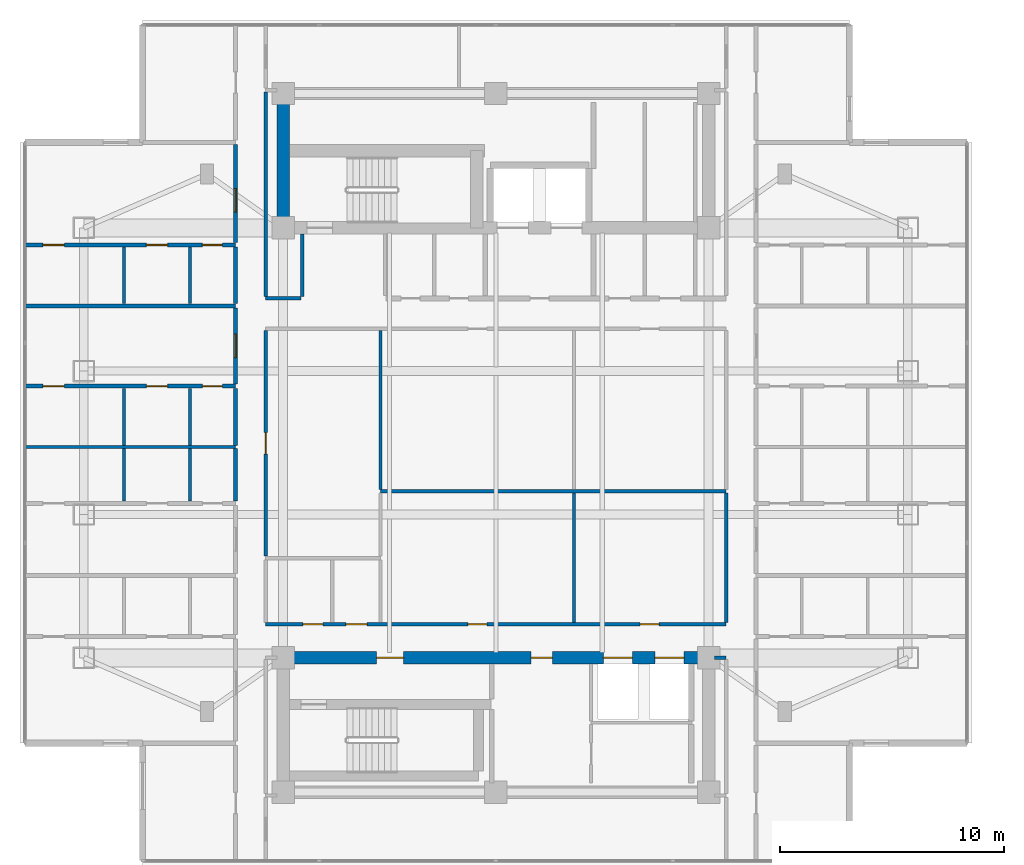
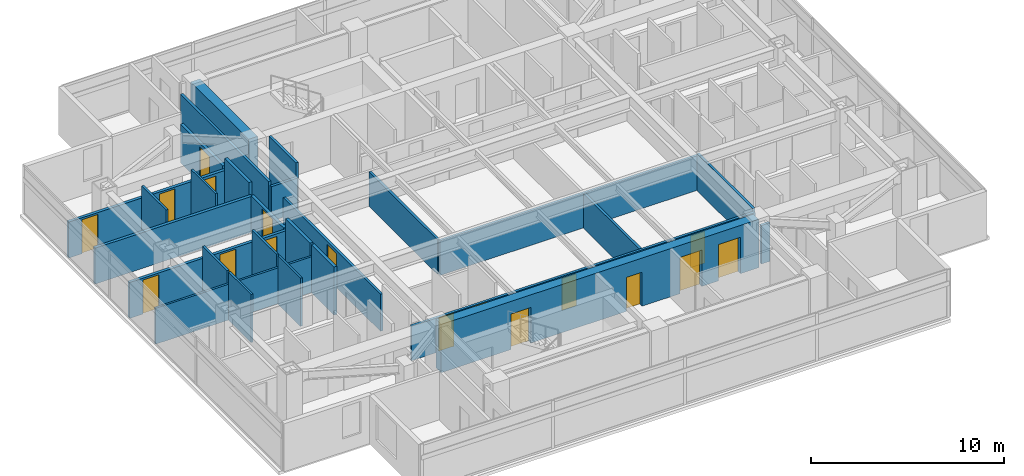
# One storey, part 14 of 26: 27 walls, 17 doors, 17 openings.
"""IFC4 building model written with IfcOpenShell, lengths in metres."""

from ifc_helpers import new_model, si_unit, direction, frame, frame_2d, origin, place, context, subcontext, project, spatial, rectangle, extrude, material, layer, layer_set, type_object, element, fill, save


model = new_model("IFC4")

# Units and contexts
model_context = context("Model", 3, precision=1e-05, world=origin(), true_north=direction((0.0, 1.0)))
body_context = subcontext(model_context, "Body", "Model", "MODEL_VIEW")
ifc_project = project(units=[si_unit("LENGTHUNIT", "METRE"), si_unit("AREAUNIT", "SQUARE_METRE"), si_unit("VOLUMEUNIT", "CUBIC_METRE"), si_unit("PLANEANGLEUNIT", "RADIAN"), si_unit("MASSUNIT", "GRAM", prefix="KILO")], contexts=[model_context])

# Site, building, storey
site_placement = place(None, origin())
site = spatial("IfcSite", under=ifc_project, at=site_placement, CompositionType="ELEMENT")
building_placement = place(site_placement, origin())
building = spatial("IfcBuilding", under=site, at=building_placement, Name="Mirazonda Arch Towers", CompositionType="ELEMENT")
storey_placement = place(building_placement, frame((0.0, 0.0, 170.64990234375)))
storey = spatial("IfcBuildingStorey", under=building, at=storey_placement, Name="L48", CompositionType="ELEMENT", Elevation=170.64990234375)

# Wall
ifc_material_1 = material(Name="Concrete C50/60", Category="concrete")
ifc_layer_1 = layer(ifc_material_1, 0.550048828125, Name="WALL-CORE-550")
ifc_layer_set_1 = layer_set([ifc_layer_1], Name="Concrete C50/60")
wall_type_1 = type_object("IfcWallType", Name="WALL-CORE-550", PredefinedType="SHEAR", material=ifc_layer_set_1)
wall_1_placement = place(storey_placement, frame((11.0, 37.60009765625, 0.0), z_axis=(0.0, 0.0, 1.0), x_axis=(0.0, 1.0, 0.0)))
element("IfcWall", 1, at=wall_1_placement, inside=storey, type_object=wall_type_1, Name="L48 T1N-W Core Shear Wall", PredefinedType="SHEAR", context=body_context, shape_type="SweptSolid", body=[
    extrude(rectangle(XDim=6.0, YDim=0.550048828125, at=frame_2d((3.0, 0.0))), origin(), (0.0, 0.0, 1.0), 3.050048828125),
])

# Wall, openings, doors
wall_2_placement = place(storey_placement, frame((11.0, 18.39990234375, 0.0), z_axis=(0.0, 0.0, 1.0), x_axis=(1.0, 0.0, 0.0)))
wall_2 = element("IfcWall", 2, at=wall_2_placement, inside=storey, type_object=wall_type_1, Name="L48 T1S-N Core Shear Wall", PredefinedType="SHEAR", context=body_context, shape_type="SweptSolid", body=[
    extrude(rectangle(XDim=19.0, YDim=0.550048828125, at=frame_2d((9.5, 0.0))), origin(), (0.0, 0.0, 1.0), 3.050048828125),
])
opening_1_placement = place(wall_2_placement, frame((4.175048828125, 0.0, 0.0)))
opening_1 = element("IfcOpeningElement", 3, at=opening_1_placement, cuts=wall_2, Name="Opening DR-117", PredefinedType="OPENING", context=body_context, shape_type="SweptSolid", body=[
    extrude(rectangle(XDim=1.199951171875, YDim=2.25, at=frame_2d((0.60009765625, 1.125))), frame((0.0, 0.284912109375, 0.0), z_axis=(0.0, -1.0, 0.0), x_axis=(1.0, 0.0, 0.0)), (0.0, 0.0, 1.0), 0.570068359375),
])
opening_2_placement = place(wall_2_placement, frame((11.074951171875, 0.0, 0.0)))
opening_2 = element("IfcOpeningElement", 4, at=opening_2_placement, cuts=wall_2, Name="Opening DR-104", PredefinedType="OPENING", context=body_context, shape_type="SweptSolid", body=[
    extrude(rectangle(XDim=0.949951171875, YDim=2.14990234375, at=frame_2d((0.47509765625, 1.074951171875))), frame((0.0, 0.284912109375, 0.0), z_axis=(0.0, -1.0, 0.0), x_axis=(1.0, 0.0, 0.0)), (0.0, 0.0, 1.0), 0.570068359375),
])
opening_3_placement = place(wall_2_placement, frame((14.300048828125, 0.0, 0.0)))
opening_3 = element("IfcOpeningElement", 5, at=opening_3_placement, cuts=wall_2, Name="Opening LD-111", PredefinedType="OPENING", context=body_context, shape_type="SweptSolid", body=[
    extrude(rectangle(XDim=1.300048828125, YDim=2.300048828125, at=frame_2d((0.64990234375, 1.14990234375))), frame((0.0, 0.284912109375, 0.0), z_axis=(0.0, -1.0, 0.0), x_axis=(1.0, 0.0, 0.0)), (0.0, 0.0, 1.0), 0.570068359375),
])
opening_4_placement = place(wall_2_placement, frame((16.60009765625, 0.0, 0.0)))
opening_4 = element("IfcOpeningElement", 6, at=opening_4_placement, cuts=wall_2, Name="Opening LD-111", PredefinedType="OPENING", context=body_context, shape_type="SweptSolid", body=[
    extrude(rectangle(XDim=1.300048828125, YDim=2.300048828125, at=frame_2d((0.64990234375, 1.14990234375))), frame((0.0, 0.284912109375, 0.0), z_axis=(0.0, -1.0, 0.0), x_axis=(1.0, 0.0, 0.0)), (0.0, 0.0, 1.0), 0.570068359375),
])
ifc_material_2 = material(Name="Architectural Brushed Steel S355", Category="steel")
door_type_1 = type_object("IfcDoorType", Name="DOOR-FFL-FD90-1200", OperationType="NOTDEFINED", PredefinedType="DOOR", material=ifc_material_2)
door_1_placement = place(opening_1_placement, origin())
door_1 = element("IfcDoor", 7, at=door_1_placement, inside=storey, type_object=door_type_1, Name="L48 South Core Stair & Lift Lobby Door", OperationType="SINGLE_SWING_LEFT", OverallHeight=2.25, OverallWidth=1.199951171875, PredefinedType="DOOR", context=body_context, shape_type="SweptSolid", body=[
    extrude(rectangle(XDim=1.199951171875, YDim=2.25, at=frame_2d((0.60009765625, 1.125))), frame((0.0, 0.02490234375, 0.0), z_axis=(0.0, -1.0, 0.0), x_axis=(1.0, 0.0, 0.0)), (0.0, 0.0, 1.0), 0.050048828125),
])
fill(opening_1, door_1)
door_type_2 = type_object("IfcDoorType", Name="DOOR-LIFT-LAND-1300", OperationType="NOTDEFINED", PredefinedType="DOOR", material=ifc_material_2)
door_2_placement = place(opening_3_placement, origin())
door_2 = element("IfcDoor", 8, at=door_2_placement, inside=storey, type_object=door_type_2, Name="L48 Lift Landing Sliding Door PL-T1H1", OperationType="DOUBLE_DOOR_SLIDING", OverallHeight=2.300048828125, OverallWidth=1.300048828125, PredefinedType="DOOR", context=body_context, shape_type="SweptSolid", body=[
    extrude(rectangle(XDim=1.300048828125, YDim=2.300048828125, at=frame_2d((0.64990234375, 1.14990234375))), frame((0.0, 0.02490234375, 0.0), z_axis=(0.0, -1.0, 0.0), x_axis=(1.0, 0.0, 0.0)), (0.0, 0.0, 1.0), 0.050048828125),
])
fill(opening_3, door_2)
door_3_placement = place(opening_4_placement, origin())
door_3 = element("IfcDoor", 9, at=door_3_placement, inside=storey, type_object=door_type_2, Name="L48 Lift Landing Sliding Door PL-T1H2", OperationType="DOUBLE_DOOR_SLIDING", OverallHeight=2.300048828125, OverallWidth=1.300048828125, PredefinedType="DOOR", context=body_context, shape_type="SweptSolid", body=[
    extrude(rectangle(XDim=1.300048828125, YDim=2.300048828125, at=frame_2d((0.64990234375, 1.14990234375))), frame((0.0, 0.02490234375, 0.0), z_axis=(0.0, -1.0, 0.0), x_axis=(1.0, 0.0, 0.0)), (0.0, 0.0, 1.0), 0.050048828125),
])
fill(opening_4, door_3)
door_type_3 = type_object("IfcDoorType", Name="DOOR-ROOM-950", OperationType="NOTDEFINED", PredefinedType="DOOR", material=ifc_material_2)
door_4_placement = place(opening_2_placement, origin())
door_4 = element("IfcDoor", 10, at=door_4_placement, inside=storey, type_object=door_type_3, Name="L48 Residents Wine Tasting Lounge Door", OperationType="SINGLE_SWING_LEFT", OverallHeight=2.14990234375, OverallWidth=0.949951171875, PredefinedType="DOOR", context=body_context, shape_type="SweptSolid", body=[
    extrude(rectangle(XDim=0.949951171875, YDim=2.14990234375, at=frame_2d((0.47509765625, 1.074951171875))), frame((0.0, 0.02490234375, 0.0), z_axis=(0.0, -1.0, 0.0), x_axis=(1.0, 0.0, 0.0)), (0.0, 0.0, 1.0), 0.050048828125),
])
fill(opening_2, door_4)

# Wall
ifc_material_3 = material(Name="Fire-Rated Gypsum Stud Partition")
ifc_layer_2 = layer(ifc_material_3, 0.14990234375, Name="WALL-PART-CORR-150")
ifc_layer_set_2 = layer_set([ifc_layer_2], Name="Fire-Rated Gypsum Stud Partition")
wall_type_2 = type_object("IfcWallType", Name="WALL-PART-CORR-150", PredefinedType="PARTITIONING", material=ifc_layer_set_2)
wall_3_placement = place(storey_placement, frame((30.27001953125, 18.39990234375, 0.0), z_axis=(0.0, 0.0, 1.0), x_axis=(1.0, 0.0, 0.0)))
element("IfcWall", 11, at=wall_3_placement, inside=storey, type_object=wall_type_2, Name="L48 Interior Partition 012", PredefinedType="PARTITIONING", context=body_context, shape_type="SweptSolid", body=[
    extrude(rectangle(XDim=0.510009765625, YDim=0.14990234375, at=frame_2d((0.2548828125, 0.0))), origin(), (0.0, 0.0, 1.0), 2.442138671875),
])

# Wall, openings, doors
wall_4_placement = place(storey_placement, frame((10.219970703125, 19.89990234375, 0.0), z_axis=(0.0, 0.0, 1.0), x_axis=(1.0, 0.0, 0.0)))
wall_4 = element("IfcWall", 12, at=wall_4_placement, inside=storey, type_object=wall_type_2, Name="L48 Interior Partition 016", PredefinedType="PARTITIONING", context=body_context, shape_type="SweptSolid", body=[
    extrude(rectangle(XDim=20.56005859375, YDim=0.14990234375, at=frame_2d((10.280029296875, 0.0))), origin(), (0.0, 0.0, 1.0), 2.18603515625),
])
opening_5_placement = place(wall_4_placement, frame((1.659912109375, 0.0, 0.0)))
opening_5 = element("IfcOpeningElement", 13, at=opening_5_placement, cuts=wall_4, Name="Opening DR-120", PredefinedType="OPENING", context=body_context, shape_type="SweptSolid", body=[
    extrude(rectangle(XDim=0.89990234375, YDim=2.10009765625, at=frame_2d((0.449951171875, 1.050048828125))), frame((0.0, 0.0849609375, 0.0), z_axis=(0.0, -1.0, 0.0), x_axis=(1.0, 0.0, 0.0)), (0.0, 0.0, 1.0), 0.169921875),
])
opening_6_placement = place(wall_4_placement, frame((3.580078125, 0.0, 0.0)))
opening_6 = element("IfcOpeningElement", 14, at=opening_6_placement, cuts=wall_4, Name="Opening DR-104", PredefinedType="OPENING", context=body_context, shape_type="SweptSolid", body=[
    extrude(rectangle(XDim=0.949951171875, YDim=2.14990234375, at=frame_2d((0.47509765625, 1.074951171875))), frame((0.0, 0.0849609375, 0.0), z_axis=(0.0, -1.0, 0.0), x_axis=(1.0, 0.0, 0.0)), (0.0, 0.0, 1.0), 0.169921875),
])
opening_7_placement = place(wall_4_placement, frame((9.025390625, 0.0, 0.0)))
opening_7 = element("IfcOpeningElement", 15, at=opening_7_placement, cuts=wall_4, Name="Opening DR-128", PredefinedType="OPENING", context=body_context, shape_type="SweptSolid", body=[
    extrude(rectangle(XDim=0.85009765625, YDim=2.010009765625, at=frame_2d((0.425048828125, 1.0048828125))), frame((0.0, 0.0849609375, 0.0), z_axis=(0.0, -1.0, 0.0), x_axis=(1.0, 0.0, 0.0)), (0.0, 0.0, 1.0), 0.169921875),
])
opening_8_placement = place(wall_4_placement, frame((16.720458984375, 0.0, 0.0)))
opening_8 = element("IfcOpeningElement", 16, at=opening_8_placement, cuts=wall_4, Name="Opening DR-128", PredefinedType="OPENING", context=body_context, shape_type="SweptSolid", body=[
    extrude(rectangle(XDim=0.85009765625, YDim=2.010009765625, at=frame_2d((0.425048828125, 1.0048828125))), frame((0.0, 0.0849609375, 0.0), z_axis=(0.0, -1.0, 0.0), x_axis=(1.0, 0.0, 0.0)), (0.0, 0.0, 1.0), 0.169921875),
])
door_type_4 = type_object("IfcDoorType", Name="DOOR-RISER-FD60-850", OperationType="NOTDEFINED", PredefinedType="DOOR", material=ifc_material_2)
door_5_placement = place(opening_7_placement, origin())
door_5 = element("IfcDoor", 17, at=door_5_placement, inside=storey, type_object=door_type_4, Name="L48 Residents Private Library Door", OperationType="SINGLE_SWING_RIGHT", OverallHeight=2.010009765625, OverallWidth=0.85009765625, PredefinedType="DOOR", context=body_context, shape_type="SweptSolid", body=[
    extrude(rectangle(XDim=0.85009765625, YDim=2.010009765625, at=frame_2d((0.425048828125, 1.0048828125))), frame((0.0, 0.02490234375, 0.0), z_axis=(0.0, -1.0, 0.0), x_axis=(1.0, 0.0, 0.0)), (0.0, 0.0, 1.0), 0.050048828125),
])
fill(opening_7, door_5)
door_6_placement = place(opening_8_placement, origin())
door_6 = element("IfcDoor", 18, at=door_6_placement, inside=storey, type_object=door_type_4, Name="L48 Chamber Music & Screening Salon Door", OperationType="SINGLE_SWING_LEFT", OverallHeight=2.010009765625, OverallWidth=0.85009765625, PredefinedType="DOOR", context=body_context, shape_type="SweptSolid", body=[
    extrude(rectangle(XDim=0.85009765625, YDim=2.010009765625, at=frame_2d((0.425048828125, 1.0048828125))), frame((0.0, 0.02490234375, 0.0), z_axis=(0.0, -1.0, 0.0), x_axis=(1.0, 0.0, 0.0)), (0.0, 0.0, 1.0), 0.050048828125),
])
fill(opening_8, door_6)
door_7_placement = place(opening_6_placement, origin())
door_7 = element("IfcDoor", 19, at=door_7_placement, inside=storey, type_object=door_type_3, Name="L48 L48 West Courtyard Study Door", OperationType="SINGLE_SWING_RIGHT", OverallHeight=2.14990234375, OverallWidth=0.949951171875, PredefinedType="DOOR", context=body_context, shape_type="SweptSolid", body=[
    extrude(rectangle(XDim=0.949951171875, YDim=2.14990234375, at=frame_2d((0.47509765625, 1.074951171875))), frame((0.0, 0.02490234375, 0.0), z_axis=(0.0, -1.0, 0.0), x_axis=(1.0, 0.0, 0.0)), (0.0, 0.0, 1.0), 0.050048828125),
])
fill(opening_6, door_7)
door_type_5 = type_object("IfcDoorType", Name="DOOR-WC-900", OperationType="NOTDEFINED", PredefinedType="DOOR", material=ifc_material_2)
door_8_placement = place(opening_5_placement, origin())
door_8 = element("IfcDoor", 20, at=door_8_placement, inside=storey, type_object=door_type_5, Name="L48 Common Accessible WC Door", OperationType="SINGLE_SWING_LEFT", OverallHeight=2.10009765625, OverallWidth=0.89990234375, PredefinedType="DOOR", context=body_context, shape_type="SweptSolid", body=[
    extrude(rectangle(XDim=0.89990234375, YDim=2.10009765625, at=frame_2d((0.449951171875, 1.050048828125))), frame((0.0, 0.02490234375, 0.0), z_axis=(0.0, -1.0, 0.0), x_axis=(1.0, 0.0, 0.0)), (0.0, 0.0, 1.0), 0.050048828125),
])
fill(opening_5, door_8)

# Walls
wall_5_placement = place(storey_placement, frame((15.35009765625, 25.840087890625, 0.0), z_axis=(0.0, 0.0, 1.0), x_axis=(1.0, 0.0, 0.0)))
element("IfcWall", 21, at=wall_5_placement, inside=storey, type_object=wall_type_2, Name="L48 Interior Partition 032", PredefinedType="PARTITIONING", context=body_context, shape_type="SweptSolid", body=[
    extrude(rectangle(XDim=15.429931640625, YDim=0.14990234375, at=frame_2d((7.71484375, 0.0))), origin(), (0.0, 0.0, 1.0), 2.18603515625),
])
wall_6_placement = place(storey_placement, frame((10.219970703125, 34.449951171875, 0.0), z_axis=(0.0, 0.0, 1.0), x_axis=(1.0, 0.0, 0.0)))
element("IfcWall", 22, at=wall_6_placement, inside=storey, type_object=wall_type_2, Name="L48 Interior Partition 049", PredefinedType="PARTITIONING", context=body_context, shape_type="SweptSolid", body=[
    extrude(rectangle(XDim=1.580078125, YDim=0.14990234375, at=frame_2d((0.7900390625, 0.0))), origin(), (0.0, 0.0, 1.0), 2.18603515625),
])

# Wall, opening, door
wall_7_placement = place(storey_placement, frame((10.219970703125, 22.93505859375, 0.0), z_axis=(0.0, 0.0, 1.0), x_axis=(0.0, 1.0, 0.0)))
wall_7 = element("IfcWall", 23, at=wall_7_placement, inside=storey, type_object=wall_type_2, Name="L48 Interior Partition 085", PredefinedType="PARTITIONING", context=body_context, shape_type="SweptSolid", body=[
    extrude(rectangle(XDim=10.079833984375, YDim=0.14990234375, at=frame_2d((5.0400390625, 0.0))), origin(), (0.0, 0.0, 1.0), 2.34619140625),
])
opening_9_placement = place(wall_7_placement, frame((4.56494140625, 0.0, 0.0)))
opening_9 = element("IfcOpeningElement", 24, at=opening_9_placement, cuts=wall_7, Name="Opening DR-104", PredefinedType="OPENING", context=body_context, shape_type="SweptSolid", body=[
    extrude(rectangle(XDim=0.949951171875, YDim=2.14990234375, at=frame_2d((0.47509765625, 1.074951171875))), frame((0.0, 0.0849609375, 0.0), z_axis=(0.0, -1.0, 0.0), x_axis=(1.0, 0.0, 0.0)), (0.0, 0.0, 1.0), 0.169921875),
])
door_9_placement = place(opening_9_placement, origin())
door_9 = element("IfcDoor", 25, at=door_9_placement, inside=storey, type_object=door_type_3, Name="L48 L48 West Courtyard Salon Door", OperationType="SINGLE_SWING_LEFT", OverallHeight=2.14990234375, OverallWidth=0.949951171875, PredefinedType="DOOR", context=body_context, shape_type="SweptSolid", body=[
    extrude(rectangle(XDim=0.949951171875, YDim=2.14990234375, at=frame_2d((0.47509765625, 1.074951171875))), frame((0.0, 0.02490234375, 0.0), z_axis=(0.0, -1.0, 0.0), x_axis=(1.0, 0.0, 0.0)), (0.0, 0.0, 1.0), 0.050048828125),
])
fill(opening_9, door_9)

# Walls
wall_8_placement = place(storey_placement, frame((10.219970703125, 34.534912109375, 0.0), z_axis=(0.0, 0.0, 1.0), x_axis=(0.0, 1.0, 0.0)))
element("IfcWall", 26, at=wall_8_placement, inside=storey, type_object=wall_type_2, Name="L48 Interior Partition 086", PredefinedType="PARTITIONING", context=body_context, shape_type="SweptSolid", body=[
    extrude(rectangle(XDim=9.130126953125, YDim=0.14990234375, at=frame_2d((4.56494140625, 0.0))), origin(), (0.0, 0.0, 1.0), 2.442138671875),
])
wall_9_placement = place(storey_placement, frame((11.85009765625, 34.534912109375, 0.0), z_axis=(0.0, 0.0, 1.0), x_axis=(0.0, 1.0, 0.0)))
element("IfcWall", 27, at=wall_9_placement, inside=storey, type_object=wall_type_2, Name="L48 Interior Partition 088", PredefinedType="PARTITIONING", context=body_context, shape_type="SweptSolid", body=[
    extrude(rectangle(XDim=2.795166015625, YDim=0.14990234375, at=frame_2d((1.3974609375, 0.0))), origin(), (0.0, 0.0, 1.0), 3.050048828125),
])
wall_10_placement = place(storey_placement, frame((15.35009765625, 25.925048828125, 0.0), z_axis=(0.0, 0.0, 1.0), x_axis=(0.0, 1.0, 0.0)))
element("IfcWall", 28, at=wall_10_placement, inside=storey, type_object=wall_type_2, Name="L48 Interior Partition 092", PredefinedType="PARTITIONING", context=body_context, shape_type="SweptSolid", body=[
    extrude(rectangle(XDim=7.08984375, YDim=0.14990234375, at=frame_2d((3.544921875, 0.0))), origin(), (0.0, 0.0, 1.0), 2.18603515625),
])
wall_11_placement = place(storey_placement, frame((23.990966796875, 19.985107421875, 0.0), z_axis=(0.0, 0.0, 1.0), x_axis=(0.0, 1.0, 0.0)))
element("IfcWall", 29, at=wall_11_placement, inside=storey, type_object=wall_type_2, Name="L48 Interior Partition 101", PredefinedType="PARTITIONING", context=body_context, shape_type="SweptSolid", body=[
    extrude(rectangle(XDim=5.769775390625, YDim=0.14990234375, at=frame_2d((2.884765625, 0.0))), origin(), (0.0, 0.0, 1.0), 2.18603515625),
])
wall_12_placement = place(storey_placement, frame((30.780029296875, 19.985107421875, 0.0), z_axis=(0.0, 0.0, 1.0), x_axis=(0.0, 1.0, 0.0)))
element("IfcWall", 30, at=wall_12_placement, inside=storey, type_object=wall_type_2, Name="L48 Interior Partition 116", PredefinedType="PARTITIONING", context=body_context, shape_type="SweptSolid", body=[
    extrude(rectangle(XDim=5.769775390625, YDim=0.14990234375, at=frame_2d((2.884765625, 0.0))), origin(), (0.0, 0.0, 1.0), 2.34619140625),
])

# Wall, openings, doors
ifc_material_4 = material(Name="Fire-Rated Gypsum Twin-Stud Assembly")
ifc_layer_3 = layer(ifc_material_4, 0.179931640625, Name="WALL-PART-DEMISE-180")
ifc_layer_set_3 = layer_set([ifc_layer_3], Name="Fire-Rated Gypsum Twin-Stud Assembly")
wall_type_3 = type_object("IfcWallType", Name="WALL-PART-DEMISE-180", PredefinedType="PARTITIONING", material=ifc_layer_set_3)
wall_13_placement = place(storey_placement, frame((-0.530029296875, 30.532958984375, 0.0), z_axis=(0.0, 0.0, 1.0), x_axis=(1.0, 0.0, 0.0)))
wall_13 = element("IfcWall", 31, at=wall_13_placement, inside=storey, type_object=wall_type_3, Name="L48 Interior Partition 040", PredefinedType="PARTITIONING", context=body_context, shape_type="SweptSolid", body=[
    extrude(rectangle(XDim=9.409912109375, YDim=0.179931640625, at=frame_2d((4.705078125, 0.0))), origin(), (0.0, 0.0, 1.0), 2.26904296875),
])
opening_10_placement = place(wall_13_placement, frame((0.805908203125, 0.0, 0.0)))
opening_10 = element("IfcOpeningElement", 32, at=opening_10_placement, cuts=wall_13, Name="Opening DR-104", PredefinedType="OPENING", context=body_context, shape_type="SweptSolid", body=[
    extrude(rectangle(XDim=0.949951171875, YDim=2.14990234375, at=frame_2d((0.47509765625, 1.074951171875))), frame((0.0, 0.099853515625, 0.0), z_axis=(0.0, -1.0, 0.0), x_axis=(1.0, 0.0, 0.0)), (0.0, 0.0, 1.0), 0.199951171875),
])
opening_11_placement = place(wall_13_placement, frame((5.4208984375, 0.0, 0.0)))
opening_11 = element("IfcOpeningElement", 33, at=opening_11_placement, cuts=wall_13, Name="Opening DR-104", PredefinedType="OPENING", context=body_context, shape_type="SweptSolid", body=[
    extrude(rectangle(XDim=0.949951171875, YDim=2.14990234375, at=frame_2d((0.47509765625, 1.074951171875))), frame((0.0, 0.099853515625, 0.0), z_axis=(0.0, -1.0, 0.0), x_axis=(1.0, 0.0, 0.0)), (0.0, 0.0, 1.0), 0.199951171875),
])
opening_12_placement = place(wall_13_placement, frame((7.919921875, 0.0, 0.0)))
opening_12 = element("IfcOpeningElement", 34, at=opening_12_placement, cuts=wall_13, Name="Opening DR-120", PredefinedType="OPENING", context=body_context, shape_type="SweptSolid", body=[
    extrude(rectangle(XDim=0.89990234375, YDim=2.10009765625, at=frame_2d((0.449951171875, 1.050048828125))), frame((0.0, 0.099853515625, 0.0), z_axis=(0.0, -1.0, 0.0), x_axis=(1.0, 0.0, 0.0)), (0.0, 0.0, 1.0), 0.199951171875),
])
door_10_placement = place(opening_10_placement, origin())
door_10 = element("IfcDoor", 35, at=door_10_placement, inside=storey, type_object=door_type_3, Name="L48 Residence 3 Principal Bedroom Door", OperationType="SINGLE_SWING_LEFT", OverallHeight=2.14990234375, OverallWidth=0.949951171875, PredefinedType="DOOR", context=body_context, shape_type="SweptSolid", body=[
    extrude(rectangle(XDim=0.949951171875, YDim=2.14990234375, at=frame_2d((0.47509765625, 1.074951171875))), frame((0.0, 0.02490234375, 0.0), z_axis=(0.0, -1.0, 0.0), x_axis=(1.0, 0.0, 0.0)), (0.0, 0.0, 1.0), 0.050048828125),
])
fill(opening_10, door_10)
door_11_placement = place(opening_11_placement, origin())
door_11 = element("IfcDoor", 36, at=door_11_placement, inside=storey, type_object=door_type_3, Name="L48 Residence 3 Fitted Kitchen Door", OperationType="SINGLE_SWING_RIGHT", OverallHeight=2.14990234375, OverallWidth=0.949951171875, PredefinedType="DOOR", context=body_context, shape_type="SweptSolid", body=[
    extrude(rectangle(XDim=0.949951171875, YDim=2.14990234375, at=frame_2d((0.47509765625, 1.074951171875))), frame((0.0, 0.02490234375, 0.0), z_axis=(0.0, -1.0, 0.0), x_axis=(1.0, 0.0, 0.0)), (0.0, 0.0, 1.0), 0.050048828125),
])
fill(opening_11, door_11)
door_12_placement = place(opening_12_placement, origin())
door_12 = element("IfcDoor", 37, at=door_12_placement, inside=storey, type_object=door_type_5, Name="L48 Residence 3 Bathroom Door", OperationType="SINGLE_SWING_LEFT", OverallHeight=2.10009765625, OverallWidth=0.89990234375, PredefinedType="DOOR", context=body_context, shape_type="SweptSolid", body=[
    extrude(rectangle(XDim=0.89990234375, YDim=2.10009765625, at=frame_2d((0.449951171875, 1.050048828125))), frame((0.0, 0.02490234375, 0.0), z_axis=(0.0, -1.0, 0.0), x_axis=(1.0, 0.0, 0.0)), (0.0, 0.0, 1.0), 0.050048828125),
])
fill(opening_12, door_12)

# Wall
wall_14_placement = place(storey_placement, frame((-0.530029296875, 34.114990234375, 0.0), z_axis=(0.0, 0.0, 1.0), x_axis=(1.0, 0.0, 0.0)))
element("IfcWall", 38, at=wall_14_placement, inside=storey, type_object=wall_type_3, Name="L48 Interior Partition 047", PredefinedType="PARTITIONING", context=body_context, shape_type="SweptSolid", body=[
    extrude(rectangle(XDim=9.409912109375, YDim=0.179931640625, at=frame_2d((4.705078125, 0.0))), origin(), (0.0, 0.0, 1.0), 2.26904296875),
])

# Wall, openings, doors
wall_15_placement = place(storey_placement, frame((-0.530029296875, 36.8349609375, 0.0), z_axis=(0.0, 0.0, 1.0), x_axis=(1.0, 0.0, 0.0)))
wall_15 = element("IfcWall", 39, at=wall_15_placement, inside=storey, type_object=wall_type_3, Name="L48 Interior Partition 053", PredefinedType="PARTITIONING", context=body_context, shape_type="SweptSolid", body=[
    extrude(rectangle(XDim=9.409912109375, YDim=0.179931640625, at=frame_2d((4.705078125, 0.0))), origin(), (0.0, 0.0, 1.0), 2.26904296875),
])
opening_13_placement = place(wall_15_placement, frame((0.805908203125, 0.0, 0.0)))
opening_13 = element("IfcOpeningElement", 40, at=opening_13_placement, cuts=wall_15, Name="Opening DR-104", PredefinedType="OPENING", context=body_context, shape_type="SweptSolid", body=[
    extrude(rectangle(XDim=0.949951171875, YDim=2.14990234375, at=frame_2d((0.47509765625, 1.074951171875))), frame((0.0, 0.099853515625, 0.0), z_axis=(0.0, -1.0, 0.0), x_axis=(1.0, 0.0, 0.0)), (0.0, 0.0, 1.0), 0.199951171875),
])
opening_14_placement = place(wall_15_placement, frame((5.4208984375, 0.0, 0.0)))
opening_14 = element("IfcOpeningElement", 41, at=opening_14_placement, cuts=wall_15, Name="Opening DR-104", PredefinedType="OPENING", context=body_context, shape_type="SweptSolid", body=[
    extrude(rectangle(XDim=0.949951171875, YDim=2.14990234375, at=frame_2d((0.47509765625, 1.074951171875))), frame((0.0, 0.099853515625, 0.0), z_axis=(0.0, -1.0, 0.0), x_axis=(1.0, 0.0, 0.0)), (0.0, 0.0, 1.0), 0.199951171875),
])
opening_15_placement = place(wall_15_placement, frame((7.919921875, 0.0, 0.0)))
opening_15 = element("IfcOpeningElement", 42, at=opening_15_placement, cuts=wall_15, Name="Opening DR-120", PredefinedType="OPENING", context=body_context, shape_type="SweptSolid", body=[
    extrude(rectangle(XDim=0.89990234375, YDim=2.10009765625, at=frame_2d((0.449951171875, 1.050048828125))), frame((0.0, 0.099853515625, 0.0), z_axis=(0.0, -1.0, 0.0), x_axis=(1.0, 0.0, 0.0)), (0.0, 0.0, 1.0), 0.199951171875),
])
door_13_placement = place(opening_13_placement, origin())
door_13 = element("IfcDoor", 43, at=door_13_placement, inside=storey, type_object=door_type_3, Name="L48 Residence 4 Principal Bedroom Door", OperationType="SINGLE_SWING_LEFT", OverallHeight=2.14990234375, OverallWidth=0.949951171875, PredefinedType="DOOR", context=body_context, shape_type="SweptSolid", body=[
    extrude(rectangle(XDim=0.949951171875, YDim=2.14990234375, at=frame_2d((0.47509765625, 1.074951171875))), frame((0.0, 0.02490234375, 0.0), z_axis=(0.0, -1.0, 0.0), x_axis=(1.0, 0.0, 0.0)), (0.0, 0.0, 1.0), 0.050048828125),
])
fill(opening_13, door_13)
door_14_placement = place(opening_14_placement, origin())
door_14 = element("IfcDoor", 44, at=door_14_placement, inside=storey, type_object=door_type_3, Name="L48 Residence 4 Fitted Kitchen Door", OperationType="SINGLE_SWING_RIGHT", OverallHeight=2.14990234375, OverallWidth=0.949951171875, PredefinedType="DOOR", context=body_context, shape_type="SweptSolid", body=[
    extrude(rectangle(XDim=0.949951171875, YDim=2.14990234375, at=frame_2d((0.47509765625, 1.074951171875))), frame((0.0, 0.02490234375, 0.0), z_axis=(0.0, -1.0, 0.0), x_axis=(1.0, 0.0, 0.0)), (0.0, 0.0, 1.0), 0.050048828125),
])
fill(opening_14, door_14)
door_15_placement = place(opening_15_placement, origin())
door_15 = element("IfcDoor", 45, at=door_15_placement, inside=storey, type_object=door_type_5, Name="L48 Residence 4 Bathroom Door", OperationType="SINGLE_SWING_LEFT", OverallHeight=2.10009765625, OverallWidth=0.89990234375, PredefinedType="DOOR", context=body_context, shape_type="SweptSolid", body=[
    extrude(rectangle(XDim=0.89990234375, YDim=2.10009765625, at=frame_2d((0.449951171875, 1.050048828125))), frame((0.0, 0.02490234375, 0.0), z_axis=(0.0, -1.0, 0.0), x_axis=(1.0, 0.0, 0.0)), (0.0, 0.0, 1.0), 0.050048828125),
])
fill(opening_15, door_15)

# Walls
wall_16_placement = place(storey_placement, frame((8.8798828125, 25.39697265625, 0.0), z_axis=(0.0, 0.0, 1.0), x_axis=(0.0, 1.0, 0.0)))
element("IfcWall", 46, at=wall_16_placement, inside=storey, type_object=wall_type_3, Name="L48 Interior Partition 076", PredefinedType="PARTITIONING", context=body_context, shape_type="SweptSolid", body=[
    extrude(rectangle(XDim=2.345458984375, YDim=0.179931640625, at=frame_2d((1.1728515625, 0.0))), origin(), (0.0, 0.0, 1.0), 3.050048828125),
])
wall_17_placement = place(storey_placement, frame((8.8798828125, 27.887451171875, 0.0), z_axis=(0.0, 0.0, 1.0), x_axis=(0.0, 1.0, 0.0)))
element("IfcWall", 47, at=wall_17_placement, inside=storey, type_object=wall_type_3, Name="L48 Interior Partition 077", PredefinedType="PARTITIONING", context=body_context, shape_type="SweptSolid", body=[
    extrude(rectangle(XDim=2.545654296875, YDim=0.179931640625, at=frame_2d((1.27294921875, 0.0))), origin(), (0.0, 0.0, 1.0), 3.050048828125),
])

# Wall, opening, door
wall_18_placement = place(storey_placement, frame((8.8798828125, 30.633056640625, 0.0), z_axis=(0.0, 0.0, 1.0), x_axis=(0.0, 1.0, 0.0)))
wall_18 = element("IfcWall", 48, at=wall_18_placement, inside=storey, type_object=wall_type_3, Name="L48 Interior Partition 078", PredefinedType="PARTITIONING", context=body_context, shape_type="SweptSolid", body=[
    extrude(rectangle(XDim=3.3818359375, YDim=0.179931640625, at=frame_2d((1.69091796875, 0.0))), origin(), (0.0, 0.0, 1.0), 2.34619140625),
])
opening_16_placement = place(wall_18_placement, frame((1.166015625, 0.0, 0.0)))
opening_16 = element("IfcOpeningElement", 49, at=opening_16_placement, cuts=wall_18, Name="Opening DR-121", PredefinedType="OPENING", context=body_context, shape_type="SweptSolid", body=[
    extrude(rectangle(XDim=1.050048828125, YDim=2.199951171875, at=frame_2d((0.52490234375, 1.10009765625))), frame((0.0, 0.099853515625, 0.0), z_axis=(0.0, -1.0, 0.0), x_axis=(1.0, 0.0, 0.0)), (0.0, 0.0, 1.0), 0.199951171875),
])
door_type_6 = type_object("IfcDoorType", Name="DOOR-SUITE-FD60-1050", OperationType="NOTDEFINED", PredefinedType="DOOR", material=ifc_material_2)
door_16_placement = place(opening_16_placement, origin())
door_16 = element("IfcDoor", 50, at=door_16_placement, inside=storey, type_object=door_type_6, Name="L48 Residence 3 Living & Dining Salon Door", OperationType="SINGLE_SWING_RIGHT", OverallHeight=2.199951171875, OverallWidth=1.050048828125, PredefinedType="DOOR", context=body_context, shape_type="SweptSolid", body=[
    extrude(rectangle(XDim=1.050048828125, YDim=2.199951171875, at=frame_2d((0.52490234375, 1.10009765625))), frame((0.0, 0.02490234375, 0.0), z_axis=(0.0, -1.0, 0.0), x_axis=(1.0, 0.0, 0.0)), (0.0, 0.0, 1.0), 0.050048828125),
])
fill(opening_16, door_16)

# Wall
wall_19_placement = place(storey_placement, frame((8.8798828125, 34.215087890625, 0.0), z_axis=(0.0, 0.0, 1.0), x_axis=(0.0, 1.0, 0.0)))
element("IfcWall", 51, at=wall_19_placement, inside=storey, type_object=wall_type_3, Name="L48 Interior Partition 079", PredefinedType="PARTITIONING", context=body_context, shape_type="SweptSolid", body=[
    extrude(rectangle(XDim=2.52001953125, YDim=0.179931640625, at=frame_2d((1.260009765625, 0.0))), origin(), (0.0, 0.0, 1.0), 3.050048828125),
])

# Wall, opening, door
wall_20_placement = place(storey_placement, frame((8.8798828125, 36.93505859375, 0.0), z_axis=(0.0, 0.0, 1.0), x_axis=(0.0, 1.0, 0.0)))
wall_20 = element("IfcWall", 52, at=wall_20_placement, inside=storey, type_object=wall_type_3, Name="L48 Interior Partition 080", PredefinedType="PARTITIONING", context=body_context, shape_type="SweptSolid", body=[
    extrude(rectangle(XDim=4.3798828125, YDim=0.179931640625, at=frame_2d((2.18994140625, 0.0))), origin(), (0.0, 0.0, 1.0), 2.442138671875),
])
opening_17_placement = place(wall_20_placement, frame((1.364990234375, 0.0, 0.0)))
opening_17 = element("IfcOpeningElement", 53, at=opening_17_placement, cuts=wall_20, Name="Opening DR-121", PredefinedType="OPENING", context=body_context, shape_type="SweptSolid", body=[
    extrude(rectangle(XDim=1.050048828125, YDim=2.199951171875, at=frame_2d((0.52490234375, 1.10009765625))), frame((0.0, 0.099853515625, 0.0), z_axis=(0.0, -1.0, 0.0), x_axis=(1.0, 0.0, 0.0)), (0.0, 0.0, 1.0), 0.199951171875),
])
door_17_placement = place(opening_17_placement, origin())
door_17 = element("IfcDoor", 54, at=door_17_placement, inside=storey, type_object=door_type_6, Name="L48 Residence 4 Living & Dining Salon Door", OperationType="SINGLE_SWING_RIGHT", OverallHeight=2.199951171875, OverallWidth=1.050048828125, PredefinedType="DOOR", context=body_context, shape_type="SweptSolid", body=[
    extrude(rectangle(XDim=1.050048828125, YDim=2.199951171875, at=frame_2d((0.52490234375, 1.10009765625))), frame((0.0, 0.02490234375, 0.0), z_axis=(0.0, -1.0, 0.0), x_axis=(1.0, 0.0, 0.0)), (0.0, 0.0, 1.0), 0.050048828125),
])
fill(opening_17, door_17)

# Walls
ifc_material_5 = material(Name="Acoustic Fire-Rated Gypsum Partition")
ifc_layer_4 = layer(ifc_material_5, 0.125, Name="WALL-PART-UNIT-125")
ifc_layer_set_4 = layer_set([ifc_layer_4], Name="Acoustic Fire-Rated Gypsum Partition")
wall_type_4 = type_object("IfcWallType", Name="WALL-PART-UNIT-125", PredefinedType="PARTITIONING", material=ifc_layer_set_4)
wall_21_placement = place(storey_placement, frame((-0.530029296875, 27.81494140625, 0.0), z_axis=(0.0, 0.0, 1.0), x_axis=(1.0, 0.0, 0.0)))
element("IfcWall", 55, at=wall_21_placement, inside=storey, type_object=wall_type_4, Name="L48 Interior Partition 036", PredefinedType="PARTITIONING", context=body_context, shape_type="SweptSolid", body=[
    extrude(rectangle(XDim=9.409912109375, YDim=0.125, at=frame_2d((4.705078125, 0.0))), origin(), (0.0, 0.0, 1.0), 2.26904296875),
])
wall_22_placement = place(storey_placement, frame((3.89208984375, 25.39697265625, 0.0), z_axis=(0.0, 0.0, 1.0), x_axis=(0.0, 1.0, 0.0)))
element("IfcWall", 56, at=wall_22_placement, inside=storey, type_object=wall_type_4, Name="L48 Interior Partition 065", PredefinedType="PARTITIONING", context=body_context, shape_type="SweptSolid", body=[
    extrude(rectangle(XDim=2.345458984375, YDim=0.125, at=frame_2d((1.1728515625, 0.0))), origin(), (0.0, 0.0, 1.0), 3.050048828125),
])
wall_23_placement = place(storey_placement, frame((3.89208984375, 27.887451171875, 0.0), z_axis=(0.0, 0.0, 1.0), x_axis=(0.0, 1.0, 0.0)))
element("IfcWall", 57, at=wall_23_placement, inside=storey, type_object=wall_type_4, Name="L48 Interior Partition 066", PredefinedType="PARTITIONING", context=body_context, shape_type="SweptSolid", body=[
    extrude(rectangle(XDim=2.545654296875, YDim=0.125, at=frame_2d((1.27294921875, 0.0))), origin(), (0.0, 0.0, 1.0), 3.050048828125),
])
wall_24_placement = place(storey_placement, frame((3.89208984375, 34.215087890625, 0.0), z_axis=(0.0, 0.0, 1.0), x_axis=(0.0, 1.0, 0.0)))
element("IfcWall", 58, at=wall_24_placement, inside=storey, type_object=wall_type_4, Name="L48 Interior Partition 067", PredefinedType="PARTITIONING", context=body_context, shape_type="SweptSolid", body=[
    extrude(rectangle(XDim=2.52001953125, YDim=0.125, at=frame_2d((1.260009765625, 0.0))), origin(), (0.0, 0.0, 1.0), 3.050048828125),
])
wall_25_placement = place(storey_placement, frame((6.840087890625, 25.39697265625, 0.0), z_axis=(0.0, 0.0, 1.0), x_axis=(0.0, 1.0, 0.0)))
element("IfcWall", 59, at=wall_25_placement, inside=storey, type_object=wall_type_4, Name="L48 Interior Partition 069", PredefinedType="PARTITIONING", context=body_context, shape_type="SweptSolid", body=[
    extrude(rectangle(XDim=2.345458984375, YDim=0.125, at=frame_2d((1.1728515625, 0.0))), origin(), (0.0, 0.0, 1.0), 3.050048828125),
])
wall_26_placement = place(storey_placement, frame((6.840087890625, 27.887451171875, 0.0), z_axis=(0.0, 0.0, 1.0), x_axis=(0.0, 1.0, 0.0)))
element("IfcWall", 60, at=wall_26_placement, inside=storey, type_object=wall_type_4, Name="L48 Interior Partition 070", PredefinedType="PARTITIONING", context=body_context, shape_type="SweptSolid", body=[
    extrude(rectangle(XDim=2.545654296875, YDim=0.125, at=frame_2d((1.27294921875, 0.0))), origin(), (0.0, 0.0, 1.0), 3.050048828125),
])
wall_27_placement = place(storey_placement, frame((6.840087890625, 34.215087890625, 0.0), z_axis=(0.0, 0.0, 1.0), x_axis=(0.0, 1.0, 0.0)))
element("IfcWall", 61, at=wall_27_placement, inside=storey, type_object=wall_type_4, Name="L48 Interior Partition 071", PredefinedType="PARTITIONING", context=body_context, shape_type="SweptSolid", body=[
    extrude(rectangle(XDim=2.52001953125, YDim=0.125, at=frame_2d((1.260009765625, 0.0))), origin(), (0.0, 0.0, 1.0), 3.050048828125),
])

save(model, "model.ifc")
